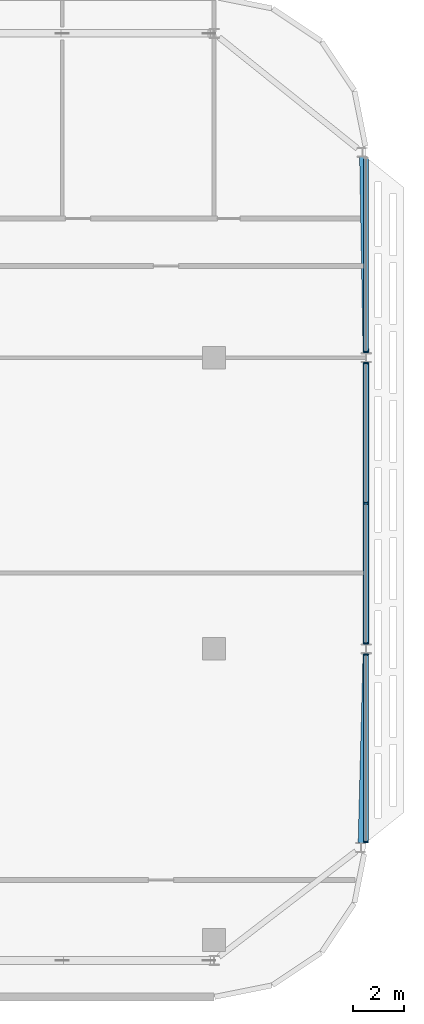
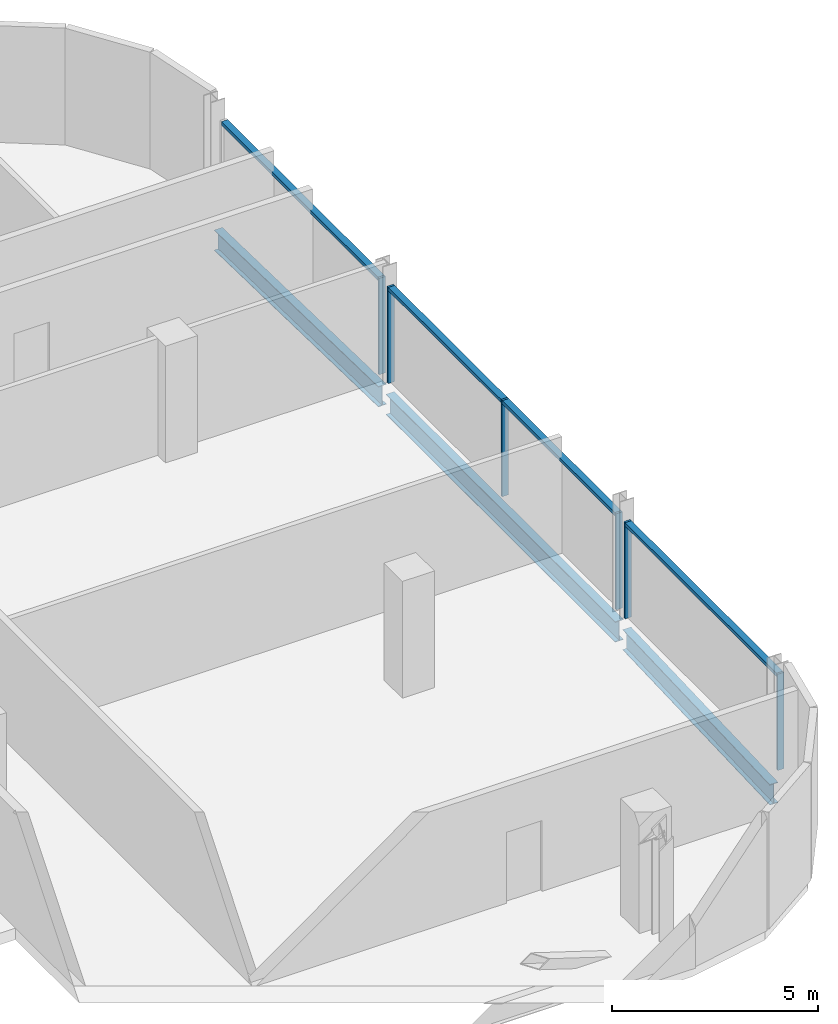
# One storey, part 10 of 28: 10 members, 3 beams, 3 elements without a shape of their own.
"""IFC4 building model written with IfcOpenShell, lengths in metres."""

import ifcopenshell
import ifcopenshell.guid

model = None  # the IFC model being written
_history = None  # IfcOwnerHistory: only IFC2X3 demands one
_inside = {}  # id of a spatial element -> (the spatial element, [elements in it])
_under = {}  # id of a project, library or spatial element -> (it, [spatial elements below it])
_declared = {}  # id of a project -> (the project, [libraries it declares])
_typed = {}  # id of a type object -> (the type object, [elements of that type])
_made_of = {}  # id of a material, layer set ... -> (it, [elements and type objects made of it])


def new_model(schema):
    """Start an empty IFC model of exactly this schema.

    Asked for "IFC4X3", IfcOpenShell would pick the latest addendum, in which some entities
    have other attributes; the version numbers below select the first issue.
    IFC2X3 requires an IfcOwnerHistory on every rooted entity: one is made here for all.
    """
    global model, _history
    if schema == "IFC4X3":
        model = ifcopenshell.file(schema_version=(4, 3, 0, 0))
    else:
        model = ifcopenshell.file(schema=schema)
    _inside.clear()
    _under.clear()
    _declared.clear()
    _typed.clear()
    _made_of.clear()
    _history = None
    if model.schema == "IFC2X3":
        org = make("IfcOrganization", Name="unknown")
        user = make(
            "IfcPersonAndOrganization",
            ThePerson=make("IfcPerson", FamilyName="unknown"),
            TheOrganization=org,
        )
        app = make(
            "IfcApplication",
            ApplicationDeveloper=org,
            Version="unknown",
            ApplicationFullName="unknown",
            ApplicationIdentifier="unknown",
        )
        _history = make(
            "IfcOwnerHistory",
            OwningUser=user,
            OwningApplication=app,
            ChangeAction="ADDED",
            CreationDate=0,
        )
    return model


def make(cls, **values):
    """One entity of the class cls with the attributes given. An attribute that is None is left unset."""
    return model.create_entity(
        cls, **{name: value for name, value in values.items() if value is not None}
    )


def rooted(cls, **values):
    """An entity with a GlobalId (a new one), such as an element, a storey or a relation."""
    return make(cls, GlobalId=ifcopenshell.guid.new(), OwnerHistory=_history, **values)


def si_unit(unit_type, name, prefix=None):
    """IfcSIUnit, for example si_unit("LENGTHUNIT", "METRE", prefix="MILLI")."""
    return make("IfcSIUnit", UnitType=unit_type, Prefix=prefix, Name=name)


def assignment(units):
    """IfcUnitAssignment: the units of a project."""
    return None if units is None else make("IfcUnitAssignment", Units=units)


def point(xyz):
    """IfcCartesianPoint."""
    return None if xyz is None else make("IfcCartesianPoint", Coordinates=xyz)


def direction(xyz):
    """IfcDirection."""
    return None if xyz is None else make("IfcDirection", DirectionRatios=xyz)


def frame(location, z_axis=None, x_axis=None):
    """IfcAxis2Placement3D, a coordinate frame: its origin and axes. An axis left out is left unset."""
    return make(
        "IfcAxis2Placement3D",
        Location=point(location),
        Axis=direction(z_axis),
        RefDirection=direction(x_axis),
    )


def frame_2d(location, x_axis=None):
    """IfcAxis2Placement2D, a coordinate frame in the plane: its origin and x axis."""
    return make(
        "IfcAxis2Placement2D", Location=point(location), RefDirection=direction(x_axis)
    )


def origin():
    """The frame at (0, 0, 0) with its axes left unset."""
    return frame((0.0, 0.0, 0.0))


def origin_2d():
    """The frame at (0, 0) in the plane with its x axis left unset."""
    return frame_2d((0.0, 0.0))


def place(relative_to, where):
    """IfcLocalPlacement: puts the frame where relative to a parent placement (None: the world)."""
    return make(
        "IfcLocalPlacement", PlacementRelTo=relative_to, RelativePlacement=where
    )


def context(
    kind, dimensions, precision=None, world=None, true_north=None, identifier=None
):
    """IfcGeometricRepresentationContext, for example the 3D "Model" context."""
    return make(
        "IfcGeometricRepresentationContext",
        ContextIdentifier=identifier,
        ContextType=kind,
        CoordinateSpaceDimension=dimensions,
        Precision=precision,
        WorldCoordinateSystem=world,
        TrueNorth=true_north,
    )


def subcontext(parent, identifier, kind, view, scale=None):
    """IfcGeometricRepresentationSubContext, for example "Body" below "Model"."""
    return make(
        "IfcGeometricRepresentationSubContext",
        ContextIdentifier=identifier,
        ContextType=kind,
        ParentContext=parent,
        TargetScale=scale,
        TargetView=view,
    )


def project(units=None, contexts=None):
    """IfcProject with its units and contexts."""
    return rooted(
        "IfcProject",
        Name="project",
        RepresentationContexts=contexts,
        UnitsInContext=assignment(units),
    )


def spatial(cls, under=None, at=None, **own):
    """A site, building, storey or space (cls), placed at a placement, below another one or the project."""
    s = rooted(cls, ObjectPlacement=at, **own)
    if under is not None:
        _under.setdefault(under.id(), (under, []))[1].append(s)
    return s


def profile(cls, at=None, kind="AREA", **sizes):
    """A parametric profile (cls). Its sizes go by their IFC names, for example OverallWidth=200.0."""
    return make(cls, ProfileType=kind, Position=at, **sizes)


def rectangle(**sizes):
    """IfcRectangleProfileDef."""
    return profile("IfcRectangleProfileDef", **sizes)


def i_section(**sizes):
    """IfcIShapeProfileDef."""
    return profile("IfcIShapeProfileDef", **sizes)


def extrude(swept, where, along, depth):
    """IfcExtrudedAreaSolid: the profile swept, set in the frame where, extruded along a direction by depth."""
    return make(
        "IfcExtrudedAreaSolid",
        SweptArea=swept,
        Position=where,
        ExtrudedDirection=direction(along),
        Depth=depth,
    )


def shape(context_of_items, identifier, shape_type, items):
    """IfcShapeRepresentation: the items that make up one representation, for example the "Body"."""
    return make(
        "IfcShapeRepresentation",
        ContextOfItems=context_of_items,
        RepresentationIdentifier=identifier,
        RepresentationType=shape_type,
        Items=items,
    )


def material(Name=None, Category=None):
    """IfcMaterial."""
    return make("IfcMaterial", Name=Name, Category=Category)


def material_profile(
    of_material, cross_section, Name=None, Category=None, Priority=None
):
    """IfcMaterialProfile: a cross section and its material."""
    return make(
        "IfcMaterialProfile",
        Name=Name,
        Material=of_material,
        Profile=cross_section,
        Priority=Priority,
        Category=Category,
    )


def profile_set(profiles, Name=None, composite=None):
    """IfcMaterialProfileSet."""
    return make(
        "IfcMaterialProfileSet",
        Name=Name,
        MaterialProfiles=profiles,
        CompositeProfile=composite,
    )


def made_of(thing, what):
    """Note that an element or type object is made of a material, layer set ...; save() writes the relation."""
    if what is not None:
        _made_of.setdefault(what.id(), (what, []))[1].append(thing)
    return thing


def type_object(cls, material=None, **own):
    """A type object (cls), such as IfcWallType, which elements share."""
    return made_of(rooted(cls, **own), material)


def element(
    cls,
    number,
    at=None,
    inside=None,
    cuts=None,
    type_object=None,
    material=None,
    context=None,
    identifier="Body",
    shape_type=None,
    held_by="IfcProductDefinitionShape",
    body=None,
    shapes=None,
    **own,
):
    """One element of the class cls, such as IfcWall. Its Tag is "e" and its number.

    at: its placement. inside: the storey or other place that contains it. cuts: it is an
    opening in that element (IfcRelVoidsElement). A single representation is given by context,
    identifier, shape_type and body (its items); several are given by shapes. held_by: the class
    of the entity that holds the representations. save() writes the other relations.
    """
    e = rooted(cls, Tag="e%d" % number, ObjectPlacement=at, **own)
    if body is not None:
        shapes = [shape(context, identifier, shape_type, body)]
    if shapes is not None:
        e.Representation = make(held_by, Representations=shapes)
    if inside is not None:
        _inside.setdefault(inside.id(), (inside, []))[1].append(e)
    if cuts is not None:
        rooted(
            "IfcRelVoidsElement", RelatingBuildingElement=cuts, RelatedOpeningElement=e
        )
    if type_object is not None:
        _typed.setdefault(type_object.id(), (type_object, []))[1].append(e)
    return made_of(e, material)


def aggregate(whole, parts):
    """IfcRelAggregates: a whole, such as a stair, and the parts it consists of."""
    return rooted("IfcRelAggregates", RelatingObject=whole, RelatedObjects=parts)


def save(model, path):
    """Write the relations noted so far, then the file.

    IfcRelAggregates (storeys below a building ...), IfcRelContainedInSpatialStructure (elements
    in a storey), IfcRelDefinesByType, IfcRelAssociatesMaterial and IfcRelDeclares: one each for
    every whole, place, type object, material and project.
    """
    for whole, parts in _under.values():
        aggregate(whole, parts)
    for where, things in _inside.values():
        rooted(
            "IfcRelContainedInSpatialStructure",
            RelatedElements=things,
            RelatingStructure=where,
        )
    for kind, things in _typed.values():
        rooted("IfcRelDefinesByType", RelatedObjects=things, RelatingType=kind)
    for what, things in _made_of.values():
        rooted("IfcRelAssociatesMaterial", RelatedObjects=things, RelatingMaterial=what)
    for by, libraries in _declared.values():
        rooted("IfcRelDeclares", RelatingContext=by, RelatedDefinitions=libraries)
    model.write(path)


model = new_model("IFC4")

# Units and contexts
model_context = context("Model", 3, precision=1e-05, world=origin(), true_north=direction((0.0, 1.0)))
body_context = subcontext(model_context, "Body", "Model", "MODEL_VIEW")
ifc_project = project(units=[si_unit("LENGTHUNIT", "METRE"), si_unit("AREAUNIT", "SQUARE_METRE"), si_unit("VOLUMEUNIT", "CUBIC_METRE"), si_unit("PLANEANGLEUNIT", "RADIAN"), si_unit("MASSUNIT", "GRAM", prefix="KILO")], contexts=[model_context])

# Site, building, storey
site_placement = place(None, origin())
site = spatial("IfcSite", under=ifc_project, at=site_placement, CompositionType="ELEMENT")
building_placement = place(site_placement, origin())
building = spatial("IfcBuilding", under=site, at=building_placement, Name="Mahtab Terrace Research Tower", CompositionType="ELEMENT")
storey_placement = place(building_placement, frame((0.0, 0.0, 267.10009765625)))
storey = spatial("IfcBuildingStorey", under=building, at=storey_placement, Name="L65", CompositionType="ELEMENT", Elevation=267.10009765625)

# Curtain wall, members
ifc_material_1 = material(Name="Office ribbon curtain wall")
curtain_wall_type = type_object("IfcCurtainWallType", Name="Office ribbon curtain wall", PredefinedType="NOTDEFINED", material=ifc_material_1)
curtain_wall_1_placement = place(storey_placement, origin())
curtain_wall_1 = element("IfcCurtainWall", 1, at=curtain_wall_1_placement, inside=storey, type_object=curtain_wall_type, Name="EN.L65.18.20", PredefinedType="NOTDEFINED")
ifc_material_2 = material(Name="Natural anodised aluminium", Category="aluminium")
ifc_material_profile_1 = material_profile(ifc_material_2, rectangle(XDim=0.179931640625, YDim=0.06005859375, at=origin_2d()), Name="MULLION 60x180")
ifc_profile_set_1 = profile_set([ifc_material_profile_1], Name="Natural anodised aluminium")
member_type_1 = type_object("IfcMemberType", Name="Office ribbon curtain wall mullion", PredefinedType="MULLION", material=ifc_profile_set_1)
member_1_placement = place(storey_placement, frame((48.0, -7.6298828125, 0.0), z_axis=(0.0, 0.0, 1.0), x_axis=(-1.0, 0.0, 0.0)))
member_1 = element("IfcMember", 2, at=member_1_placement, type_object=member_type_1, Name="CWO-8 mullion 1", PredefinedType="MULLION", context=body_context, shape_type="SweptSolid", body=[
    extrude(rectangle(XDim=0.179931640625, YDim=0.06005859375, at=origin_2d()), origin(), (0.0, 0.0, 1.0), 2.852783203125),
])
member_2_placement = place(storey_placement, frame((48.0, -0.218017578125, 0.0), z_axis=(0.0, 0.0, 1.0), x_axis=(-1.0, 0.0, 0.0)))
member_2 = element("IfcMember", 3, at=member_2_placement, type_object=member_type_1, Name="CWO-8 mullion 2", PredefinedType="MULLION", context=body_context, shape_type="SweptSolid", body=[
    extrude(rectangle(XDim=0.179931640625, YDim=0.06005859375, at=origin_2d()), origin(), (0.0, 0.0, 1.0), 2.852783203125),
])

curtain_wall_2_placement = place(storey_placement, origin())
curtain_wall_2 = element("IfcCurtainWall", 4, at=curtain_wall_2_placement, inside=storey, type_object=curtain_wall_type, Name="EN.L65.18.21", PredefinedType="NOTDEFINED")
member_3_placement = place(storey_placement, frame((48.0, 0.218017578125, 0.0), z_axis=(0.0, 0.0, 1.0), x_axis=(-1.0, 0.0, 0.0)))
member_3 = element("IfcMember", 5, at=member_3_placement, type_object=member_type_1, Name="CWO-8 mullion 1", PredefinedType="MULLION", context=body_context, shape_type="SweptSolid", body=[
    extrude(rectangle(XDim=0.179931640625, YDim=0.06005859375, at=origin_2d()), origin(), (0.0, 0.0, 1.0), 2.852783203125),
])
member_4_placement = place(storey_placement, frame((48.0, 5.75, 0.0), z_axis=(0.0, 0.0, 1.0), x_axis=(-1.0, 0.0, 0.0)))
member_4 = element("IfcMember", 6, at=member_4_placement, type_object=member_type_1, Name="CWO-8 mullion 2", PredefinedType="MULLION", context=body_context, shape_type="SweptSolid", body=[
    extrude(rectangle(XDim=0.179931640625, YDim=0.06005859375, at=origin_2d()), origin(), (0.0, 0.0, 1.0), 2.852783203125),
])
member_5_placement = place(storey_placement, frame((48.0, 11.281982421875, 0.0), z_axis=(0.0, 0.0, 1.0), x_axis=(-1.0, 0.0, 0.0)))
member_5 = element("IfcMember", 7, at=member_5_placement, type_object=member_type_1, Name="CWO-8 mullion 3", PredefinedType="MULLION", context=body_context, shape_type="SweptSolid", body=[
    extrude(rectangle(XDim=0.179931640625, YDim=0.06005859375, at=origin_2d()), origin(), (0.0, 0.0, 1.0), 2.852783203125),
])

# Curtain wall, member
curtain_wall_3_placement = place(storey_placement, origin())
curtain_wall_3 = element("IfcCurtainWall", 8, at=curtain_wall_3_placement, inside=storey, type_object=curtain_wall_type, Name="EN.L65.18.22", PredefinedType="NOTDEFINED")
member_6_placement = place(storey_placement, frame((48.0, 11.718017578125, 0.0), z_axis=(0.0, 0.0, 1.0), x_axis=(-1.0, 0.0, 0.0)))
member_6 = element("IfcMember", 9, at=member_6_placement, type_object=member_type_1, Name="CWO-8 mullion 1", PredefinedType="MULLION", context=body_context, shape_type="SweptSolid", body=[
    extrude(rectangle(XDim=0.179931640625, YDim=0.06005859375, at=origin_2d()), origin(), (0.0, 0.0, 1.0), 2.852783203125),
])

# Member
ifc_material_profile_2 = material_profile(ifc_material_2, rectangle(XDim=0.179931640625, YDim=0.10009765625, at=origin_2d()), Name="TRANSOM 100x180")
ifc_profile_set_2 = profile_set([ifc_material_profile_2], Name="Natural anodised aluminium")
member_type_2 = type_object("IfcMemberType", Name="Office ribbon curtain wall transom", PredefinedType="USERDEFINED", material=ifc_profile_set_2)
member_7_placement = place(storey_placement, frame((48.0, -7.60009765625, 2.802734375), z_axis=(0.0, 1.0, 0.0), x_axis=(-1.0, 0.0, 0.0)))
member_7 = element("IfcMember", 10, at=member_7_placement, type_object=member_type_2, Name="CWO-8 transom 1", ObjectType="TRANSOM", PredefinedType="USERDEFINED", context=body_context, shape_type="SweptSolid", body=[
    extrude(rectangle(XDim=0.179931640625, YDim=0.10009765625, at=origin_2d()), origin(), (0.0, 0.0, 1.0), 7.35205078125),
])

aggregate(curtain_wall_1, [member_1, member_2, member_7])

member_8_placement = place(storey_placement, frame((48.0, 0.248046875, 2.802734375), z_axis=(0.0, 1.0, 0.0), x_axis=(-1.0, 0.0, 0.0)))
member_8 = element("IfcMember", 11, at=member_8_placement, type_object=member_type_2, Name="CWO-8 transom 1", ObjectType="TRANSOM", PredefinedType="USERDEFINED", context=body_context, shape_type="SweptSolid", body=[
    extrude(rectangle(XDim=0.179931640625, YDim=0.10009765625, at=origin_2d()), origin(), (0.0, 0.0, 1.0), 5.471923828125),
])

member_9_placement = place(storey_placement, frame((48.0, 5.780029296875, 2.802734375), z_axis=(0.0, 1.0, 0.0), x_axis=(-1.0, 0.0, 0.0)))
member_9 = element("IfcMember", 12, at=member_9_placement, type_object=member_type_2, Name="CWO-8 transom 2", ObjectType="TRANSOM", PredefinedType="USERDEFINED", context=body_context, shape_type="SweptSolid", body=[
    extrude(rectangle(XDim=0.179931640625, YDim=0.10009765625, at=origin_2d()), origin(), (0.0, 0.0, 1.0), 5.471923828125),
])

aggregate(curtain_wall_2, [member_3, member_4, member_5, member_8, member_9])

member_10_placement = place(storey_placement, frame((48.0, 11.748046875, 2.802734375), z_axis=(0.0, 1.0, 0.0), x_axis=(-1.0, 0.0, 0.0)))
member_10 = element("IfcMember", 13, at=member_10_placement, type_object=member_type_2, Name="CWO-8 transom 1", ObjectType="TRANSOM", PredefinedType="USERDEFINED", context=body_context, shape_type="SweptSolid", body=[
    extrude(rectangle(XDim=0.179931640625, YDim=0.10009765625, at=origin_2d()), origin(), (0.0, 0.0, 1.0), 7.60888671875),
])

aggregate(curtain_wall_3, [member_6, member_10])

# Beams
ifc_material_3 = material(Name="Steel ASTM A992 Gr 50", Category="steel")
ifc_material_profile_3 = material_profile(ifc_material_3, i_section(OverallWidth=0.228271484375, OverallDepth=0.607177734375, WebThickness=0.01123046875, FlangeThickness=0.017333984375, at=origin_2d()), Name="W24X76")
ifc_profile_set_3 = profile_set([ifc_material_profile_3], Name="Steel ASTM A992 Gr 50")
beam_type = type_object("IfcBeamType", Name="W24x76 beam BS2476", PredefinedType="BEAM", material=ifc_profile_set_3)
beam_1_placement = place(storey_placement, frame((47.802734375, -7.66015625, -0.6435546875), z_axis=(0.025738056343, 0.999668721355, 0.0), x_axis=(-0.999668721355, 0.025738056343, 0.0)))
element("IfcBeam", 14, at=beam_1_placement, inside=storey, type_object=beam_type, Name="Spandrel beam L65 22", PredefinedType="BEAM", context=body_context, shape_type="SweptSolid", body=[
    extrude(i_section(OverallWidth=0.228271484375, OverallDepth=0.607177734375, WebThickness=0.01123046875, FlangeThickness=0.017333984375, at=origin_2d()), origin(), (0.0, 0.0, 1.0), 7.474609375),
])
beam_2_placement = place(storey_placement, frame((48.0, 0.18798828125, -0.6435546875), z_axis=(0.0, 1.0, 0.0), x_axis=(-1.0, 0.0, 0.0)))
element("IfcBeam", 15, at=beam_2_placement, inside=storey, type_object=beam_type, Name="Spandrel beam L65 23", PredefinedType="BEAM", context=body_context, shape_type="SweptSolid", body=[
    extrude(i_section(OverallWidth=0.228271484375, OverallDepth=0.607177734375, WebThickness=0.01123046875, FlangeThickness=0.017333984375, at=origin_2d()), origin(), (0.0, 0.0, 1.0), 11.1240234375),
])
beam_3_placement = place(storey_placement, frame((47.99658203125, 11.68798828125, -0.6435546875), z_axis=(-0.017623139265, 0.999844700422, 0.0), x_axis=(-0.999844700422, -0.017623139265, 0.0)))
element("IfcBeam", 16, at=beam_3_placement, inside=storey, type_object=beam_type, Name="Spandrel beam L65 24", PredefinedType="BEAM", context=body_context, shape_type="SweptSolid", body=[
    extrude(i_section(OverallWidth=0.228271484375, OverallDepth=0.607177734375, WebThickness=0.01123046875, FlangeThickness=0.017333984375, at=origin_2d()), origin(), (0.0, 0.0, 1.0), 7.730224609375),
])

save(model, "model.ifc")
